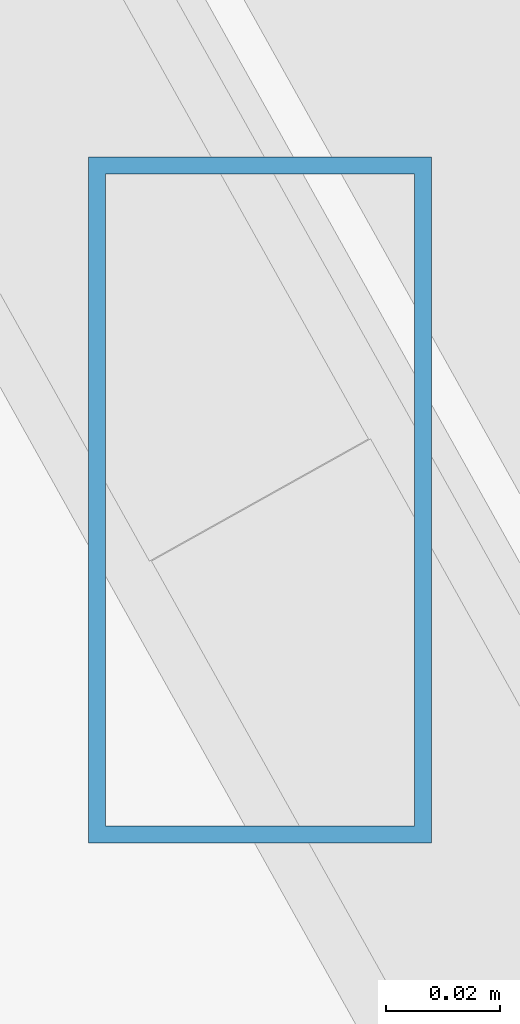
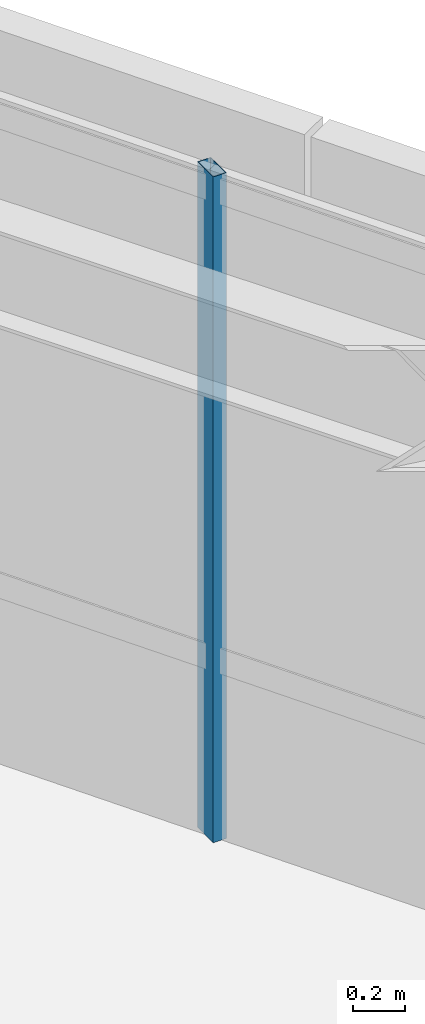
# One storey, part 25 of 48: 1 member, 1 element without a shape of its own.
"""IFC4 building model written with IfcOpenShell, lengths in metres."""

import ifcopenshell
import ifcopenshell.guid

model = None  # the IFC model being written
_history = None  # IfcOwnerHistory: only IFC2X3 demands one
_inside = {}  # id of a spatial element -> (the spatial element, [elements in it])
_under = {}  # id of a project, library or spatial element -> (it, [spatial elements below it])
_declared = {}  # id of a project -> (the project, [libraries it declares])
_typed = {}  # id of a type object -> (the type object, [elements of that type])
_made_of = {}  # id of a material, layer set ... -> (it, [elements and type objects made of it])


def new_model(schema):
    """Start an empty IFC model of exactly this schema.

    Asked for "IFC4X3", IfcOpenShell would pick the latest addendum, in which some entities
    have other attributes; the version numbers below select the first issue.
    IFC2X3 requires an IfcOwnerHistory on every rooted entity: one is made here for all.
    """
    global model, _history
    if schema == "IFC4X3":
        model = ifcopenshell.file(schema_version=(4, 3, 0, 0))
    else:
        model = ifcopenshell.file(schema=schema)
    _inside.clear()
    _under.clear()
    _declared.clear()
    _typed.clear()
    _made_of.clear()
    _history = None
    if model.schema == "IFC2X3":
        org = make("IfcOrganization", Name="unknown")
        user = make(
            "IfcPersonAndOrganization",
            ThePerson=make("IfcPerson", FamilyName="unknown"),
            TheOrganization=org,
        )
        app = make(
            "IfcApplication",
            ApplicationDeveloper=org,
            Version="unknown",
            ApplicationFullName="unknown",
            ApplicationIdentifier="unknown",
        )
        _history = make(
            "IfcOwnerHistory",
            OwningUser=user,
            OwningApplication=app,
            ChangeAction="ADDED",
            CreationDate=0,
        )
    return model


def make(cls, **values):
    """One entity of the class cls with the attributes given. An attribute that is None is left unset."""
    return model.create_entity(
        cls, **{name: value for name, value in values.items() if value is not None}
    )


def rooted(cls, **values):
    """An entity with a GlobalId (a new one), such as an element, a storey or a relation."""
    return make(cls, GlobalId=ifcopenshell.guid.new(), OwnerHistory=_history, **values)


def si_unit(unit_type, name, prefix=None):
    """IfcSIUnit, for example si_unit("LENGTHUNIT", "METRE", prefix="MILLI")."""
    return make("IfcSIUnit", UnitType=unit_type, Prefix=prefix, Name=name)


def assignment(units):
    """IfcUnitAssignment: the units of a project."""
    return None if units is None else make("IfcUnitAssignment", Units=units)


def point(xyz):
    """IfcCartesianPoint."""
    return None if xyz is None else make("IfcCartesianPoint", Coordinates=xyz)


def direction(xyz):
    """IfcDirection."""
    return None if xyz is None else make("IfcDirection", DirectionRatios=xyz)


def frame(location, z_axis=None, x_axis=None):
    """IfcAxis2Placement3D, a coordinate frame: its origin and axes. An axis left out is left unset."""
    return make(
        "IfcAxis2Placement3D",
        Location=point(location),
        Axis=direction(z_axis),
        RefDirection=direction(x_axis),
    )


def frame_2d(location, x_axis=None):
    """IfcAxis2Placement2D, a coordinate frame in the plane: its origin and x axis."""
    return make(
        "IfcAxis2Placement2D", Location=point(location), RefDirection=direction(x_axis)
    )


def origin():
    """The frame at (0, 0, 0) with its axes left unset."""
    return frame((0.0, 0.0, 0.0))


def origin_2d():
    """The frame at (0, 0) in the plane with its x axis left unset."""
    return frame_2d((0.0, 0.0))


def place(relative_to, where):
    """IfcLocalPlacement: puts the frame where relative to a parent placement (None: the world)."""
    return make(
        "IfcLocalPlacement", PlacementRelTo=relative_to, RelativePlacement=where
    )


def context(
    kind, dimensions, precision=None, world=None, true_north=None, identifier=None
):
    """IfcGeometricRepresentationContext, for example the 3D "Model" context."""
    return make(
        "IfcGeometricRepresentationContext",
        ContextIdentifier=identifier,
        ContextType=kind,
        CoordinateSpaceDimension=dimensions,
        Precision=precision,
        WorldCoordinateSystem=world,
        TrueNorth=true_north,
    )


def subcontext(parent, identifier, kind, view, scale=None):
    """IfcGeometricRepresentationSubContext, for example "Body" below "Model"."""
    return make(
        "IfcGeometricRepresentationSubContext",
        ContextIdentifier=identifier,
        ContextType=kind,
        ParentContext=parent,
        TargetScale=scale,
        TargetView=view,
    )


def project(units=None, contexts=None):
    """IfcProject with its units and contexts."""
    return rooted(
        "IfcProject",
        Name="project",
        RepresentationContexts=contexts,
        UnitsInContext=assignment(units),
    )


def spatial(cls, under=None, at=None, **own):
    """A site, building, storey or space (cls), placed at a placement, below another one or the project."""
    s = rooted(cls, ObjectPlacement=at, **own)
    if under is not None:
        _under.setdefault(under.id(), (under, []))[1].append(s)
    return s


def profile(cls, at=None, kind="AREA", **sizes):
    """A parametric profile (cls). Its sizes go by their IFC names, for example OverallWidth=200.0."""
    return make(cls, ProfileType=kind, Position=at, **sizes)


def hollow_rectangle(**sizes):
    """IfcRectangleHollowProfileDef."""
    return profile("IfcRectangleHollowProfileDef", **sizes)


def extrude(swept, where, along, depth):
    """IfcExtrudedAreaSolid: the profile swept, set in the frame where, extruded along a direction by depth."""
    return make(
        "IfcExtrudedAreaSolid",
        SweptArea=swept,
        Position=where,
        ExtrudedDirection=direction(along),
        Depth=depth,
    )


def shape(context_of_items, identifier, shape_type, items):
    """IfcShapeRepresentation: the items that make up one representation, for example the "Body"."""
    return make(
        "IfcShapeRepresentation",
        ContextOfItems=context_of_items,
        RepresentationIdentifier=identifier,
        RepresentationType=shape_type,
        Items=items,
    )


def source(mapping_origin, context_of_items, identifier, shape_type, items):
    """IfcRepresentationMap: a shape defined once, which mapped items show again and again."""
    return make(
        "IfcRepresentationMap",
        MappingOrigin=mapping_origin,
        MappedRepresentation=shape(context_of_items, identifier, shape_type, items),
    )


def transform(
    local_origin,
    x_axis=None,
    y_axis=None,
    z_axis=None,
    scale=None,
    scale2=None,
    scale3=None,
    uniform=True,
):
    """IfcCartesianTransformationOperator3D, or its non-uniform kind. x_axis, y_axis, z_axis: its Axis1, 2, 3."""
    if uniform:
        return make(
            "IfcCartesianTransformationOperator3D",
            Axis1=direction(x_axis),
            Axis2=direction(y_axis),
            LocalOrigin=point(local_origin),
            Scale=scale,
            Axis3=direction(z_axis),
        )
    return make(
        "IfcCartesianTransformationOperator3DnonUniform",
        Axis1=direction(x_axis),
        Axis2=direction(y_axis),
        LocalOrigin=point(local_origin),
        Scale=scale,
        Axis3=direction(z_axis),
        Scale2=scale2,
        Scale3=scale3,
    )


def mapped(mapping_source, mapping_target):
    """IfcMappedItem: shows the shape of a source again, moved by a transform."""
    return make(
        "IfcMappedItem", MappingSource=mapping_source, MappingTarget=mapping_target
    )


def material(Name=None, Category=None):
    """IfcMaterial."""
    return make("IfcMaterial", Name=Name, Category=Category)


def material_profile(
    of_material, cross_section, Name=None, Category=None, Priority=None
):
    """IfcMaterialProfile: a cross section and its material."""
    return make(
        "IfcMaterialProfile",
        Name=Name,
        Material=of_material,
        Profile=cross_section,
        Priority=Priority,
        Category=Category,
    )


def profile_set(profiles, Name=None, composite=None):
    """IfcMaterialProfileSet."""
    return make(
        "IfcMaterialProfileSet",
        Name=Name,
        MaterialProfiles=profiles,
        CompositeProfile=composite,
    )


def made_of(thing, what):
    """Note that an element or type object is made of a material, layer set ...; save() writes the relation."""
    if what is not None:
        _made_of.setdefault(what.id(), (what, []))[1].append(thing)
    return thing


def type_object(cls, material=None, **own):
    """A type object (cls), such as IfcWallType, which elements share."""
    return made_of(rooted(cls, **own), material)


def type_shapes(of_type, sources):
    """Give a type object the sources (RepresentationMaps) that its elements show as mapped items."""
    of_type.RepresentationMaps = sources


def element(
    cls,
    number,
    at=None,
    inside=None,
    cuts=None,
    type_object=None,
    material=None,
    context=None,
    identifier="Body",
    shape_type=None,
    held_by="IfcProductDefinitionShape",
    body=None,
    shapes=None,
    **own,
):
    """One element of the class cls, such as IfcWall. Its Tag is "e" and its number.

    at: its placement. inside: the storey or other place that contains it. cuts: it is an
    opening in that element (IfcRelVoidsElement). A single representation is given by context,
    identifier, shape_type and body (its items); several are given by shapes. held_by: the class
    of the entity that holds the representations. save() writes the other relations.
    """
    e = rooted(cls, Tag="e%d" % number, ObjectPlacement=at, **own)
    if body is not None:
        shapes = [shape(context, identifier, shape_type, body)]
    if shapes is not None:
        e.Representation = make(held_by, Representations=shapes)
    if inside is not None:
        _inside.setdefault(inside.id(), (inside, []))[1].append(e)
    if cuts is not None:
        rooted(
            "IfcRelVoidsElement", RelatingBuildingElement=cuts, RelatedOpeningElement=e
        )
    if type_object is not None:
        _typed.setdefault(type_object.id(), (type_object, []))[1].append(e)
    return made_of(e, material)


def aggregate(whole, parts):
    """IfcRelAggregates: a whole, such as a stair, and the parts it consists of."""
    return rooted("IfcRelAggregates", RelatingObject=whole, RelatedObjects=parts)


def save(model, path):
    """Write the relations noted so far, then the file.

    IfcRelAggregates (storeys below a building ...), IfcRelContainedInSpatialStructure (elements
    in a storey), IfcRelDefinesByType, IfcRelAssociatesMaterial and IfcRelDeclares: one each for
    every whole, place, type object, material and project.
    """
    for whole, parts in _under.values():
        aggregate(whole, parts)
    for where, things in _inside.values():
        rooted(
            "IfcRelContainedInSpatialStructure",
            RelatedElements=things,
            RelatingStructure=where,
        )
    for kind, things in _typed.values():
        rooted("IfcRelDefinesByType", RelatedObjects=things, RelatingType=kind)
    for what, things in _made_of.values():
        rooted("IfcRelAssociatesMaterial", RelatedObjects=things, RelatingMaterial=what)
    for by, libraries in _declared.values():
        rooted("IfcRelDeclares", RelatingContext=by, RelatedDefinitions=libraries)
    model.write(path)


model = new_model("IFC4")

# Units and contexts
model_context = context("Model", 3, precision=1e-05, world=origin(), true_north=direction((0.0, 1.0)))
body_context = subcontext(model_context, "Body", "Model", "MODEL_VIEW")
ifc_project = project(units=[si_unit("LENGTHUNIT", "METRE"), si_unit("AREAUNIT", "SQUARE_METRE"), si_unit("VOLUMEUNIT", "CUBIC_METRE"), si_unit("PLANEANGLEUNIT", "RADIAN"), si_unit("MASSUNIT", "GRAM", prefix="KILO")], contexts=[model_context])

# Site, building, storey
site_placement = place(None, origin())
site = spatial("IfcSite", under=ifc_project, at=site_placement, CompositionType="ELEMENT")
building_placement = place(site_placement, origin())
building = spatial("IfcBuilding", under=site, at=building_placement, Name="Caelisora Broadcast Tower", CompositionType="ELEMENT")
storey_placement = place(building_placement, frame((0.0, 0.0, 300.0)))
storey = spatial("IfcBuildingStorey", under=building, at=storey_placement, Name="L79", CompositionType="ELEMENT", Elevation=300.0)

# Curtain wall, member
ifc_material_1 = material(Name="Unitised Aluminium Insulated Shadow-Box Spandrel Curtain Wall", Category="aluminium")
curtain_wall_type = type_object("IfcCurtainWallType", Name="CW-SP3", PredefinedType="NOTDEFINED", material=ifc_material_1)
curtain_wall_placement = place(storey_placement, origin())
curtain_wall = element("IfcCurtainWall", 1, at=curtain_wall_placement, inside=storey, type_object=curtain_wall_type, Name="L79 curtain wall CW-SP3", PredefinedType="NOTDEFINED")
ifc_material_2 = material(Name="Aluminium 6063-T6 Anodised Terracotta Bronze", Category="aluminium")
ifc_material_profile = material_profile(ifc_material_2, hollow_rectangle(XDim=0.06005859375, YDim=0.1201171875, WallThickness=0.0029296875, at=origin_2d()), Name="Aluminium 6063-T6 Anodised Terracotta Bronze")
ifc_profile_set = profile_set([ifc_material_profile], Name="Aluminium 6063-T6 Anodised Terracotta Bronze")
member_type = type_object("IfcMemberType", Name="CWM-04", PredefinedType="MULLION", material=ifc_profile_set)
shared_shape = source(origin(), body_context, "Body", "SweptSolid", [
    extrude(hollow_rectangle(XDim=0.06005859375, YDim=0.1201171875, WallThickness=0.0029296875, at=origin_2d()), origin(), (0.0, 0.0, 1.0), 3.14990234375),
])
type_shapes(member_type, [shared_shape])
member_placement = place(storey_placement, frame((58.850341796875, 16.773193359375, 0.0), z_axis=(0.0, 0.0, 1.0), x_axis=(1.0, 0.0, 0.0)))
member = element("IfcMember", 2, at=member_placement, type_object=member_type, Name="L79-CW-B03 mullion #2", PredefinedType="MULLION", context=body_context, shape_type="MappedRepresentation", body=[
    mapped(shared_shape, transform((0.0, 0.0, 0.0), scale=1.0)),
])
aggregate(curtain_wall, [member])

save(model, "model.ifc")
